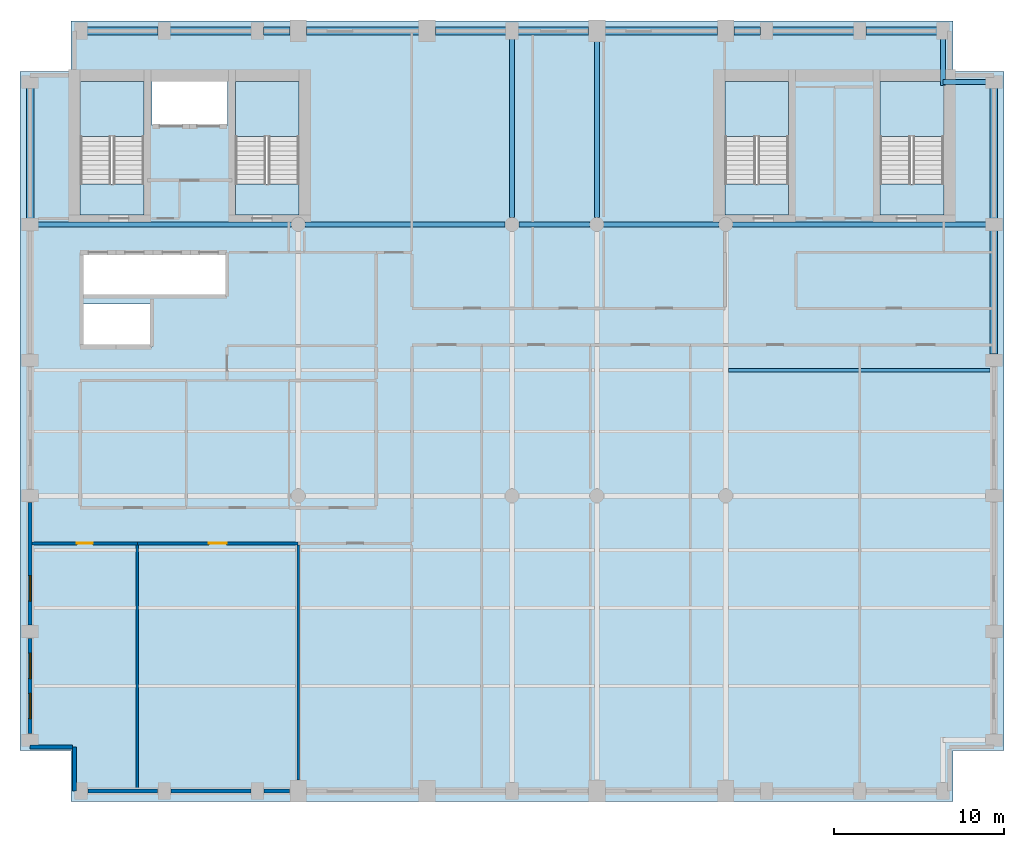
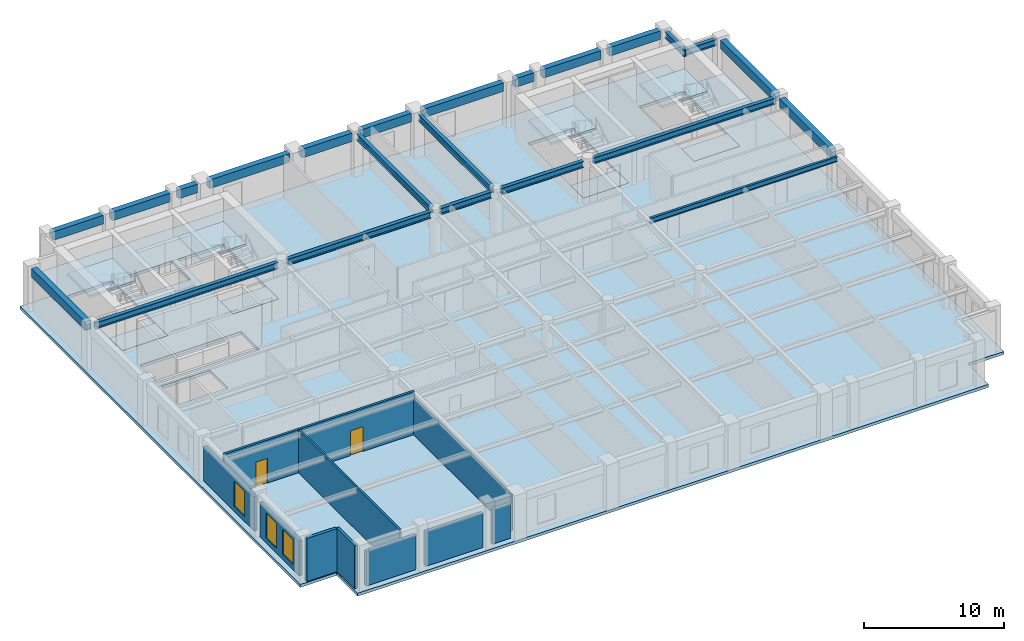
# One storey, part 2 of 8: 23 beams, 11 walls, 9 slabs, 3 windows, 2 doors, 5 openings, 4 elements without a shape of their own.
"""IFC4 building model written with IfcOpenShell, lengths in metres."""

from ifc_helpers import new_model, si_unit, direction, frame, frame_2d, origin, origin_2d, place, context, subcontext, project, spatial, polyline, rectangle, i_section, outline, extrude, material, layer, layer_set, material_profile, profile_set, type_object, element, fill, aggregate, save


model = new_model("IFC4")

# Units and contexts
model_context = context("Model", 3, precision=1e-05, world=origin(), true_north=direction((0.0, 1.0)))
body_context = subcontext(model_context, "Body", "Model", "MODEL_VIEW")
ifc_project = project(units=[si_unit("LENGTHUNIT", "METRE"), si_unit("AREAUNIT", "SQUARE_METRE"), si_unit("VOLUMEUNIT", "CUBIC_METRE"), si_unit("PLANEANGLEUNIT", "RADIAN"), si_unit("MASSUNIT", "GRAM", prefix="KILO")], contexts=[model_context])

# Site, building, storey
site_placement = place(None, origin())
site = spatial("IfcSite", under=ifc_project, at=site_placement, CompositionType="ELEMENT")
building_placement = place(site_placement, origin())
building = spatial("IfcBuilding", under=site, at=building_placement, Name="Sulina Concourse Tower", CompositionType="ELEMENT")
storey_placement = place(building_placement, frame((0.0, 0.0, 260.60009765625)))
storey = spatial("IfcBuildingStorey", under=building, at=storey_placement, Name="L63", CompositionType="ELEMENT", Elevation=260.60009765625)

# Beams
ifc_material_1 = material(Name="Steel S355", Category="steel")
ifc_material_profile_1 = material_profile(ifc_material_1, i_section(OverallWidth=0.18994140625, OverallDepth=0.449951171875, WebThickness=0.009521484375, FlangeThickness=0.0146484375, at=origin_2d()), Name="IPE 450")
ifc_profile_set_1 = profile_set([ifc_material_profile_1], Name="Steel S355")
beam_type_1 = type_object("IfcBeamType", Name="Composite Floor Joist IPE450", PredefinedType="JOIST", material=ifc_profile_set_1)
beam_1_placement = place(storey_placement, frame((41.75, 25.39990234375, 3.52490234375), z_axis=(1.0, 0.0, 0.0), x_axis=(0.0, 1.0, 0.0)))
element("IfcBeam", 1, at=beam_1_placement, inside=storey, type_object=beam_type_1, Name="FJ-J25-5-L63", PredefinedType="JOIST", context=body_context, shape_type="SweptSolid", body=[
    extrude(i_section(OverallWidth=0.18994140625, OverallDepth=0.449951171875, WebThickness=0.009521484375, FlangeThickness=0.0146484375, at=origin_2d()), origin(), (0.0, 0.0, 1.0), 15.425048828125),
])
ifc_material_2 = material(Name="Steel S355", Category="steel")
ifc_material_profile_2 = material_profile(ifc_material_2, i_section(OverallWidth=0.300048828125, OverallDepth=0.550048828125, WebThickness=0.014892578125, FlangeThickness=0.029052734375, at=origin_2d()), Name="HE 550 B")
ifc_profile_set_2 = profile_set([ifc_material_profile_2], Name="Steel S355")
beam_type_2 = type_object("IfcBeamType", Name="Floor Primary Girder Zone 4 HE550B", PredefinedType="BEAM", material=ifc_profile_set_2)
beam_2_placement = place(storey_placement, frame((54.39990234375, 42.39990234375, 3.474853515625), z_axis=(1.0, 0.0, 0.0), x_axis=(0.0, 1.0, 0.0)))
element("IfcBeam", 2, at=beam_2_placement, inside=storey, type_object=beam_type_2, Name="TIE-NE-L63", PredefinedType="BEAM", context=body_context, shape_type="SweptSolid", body=[
    extrude(i_section(OverallWidth=0.300048828125, OverallDepth=0.550048828125, WebThickness=0.014892578125, FlangeThickness=0.029052734375, at=origin_2d()), origin(), (0.0, 0.0, 1.0), 2.64501953125),
])
beam_3_placement = place(storey_placement, frame((54.39990234375, 42.199951171875, 3.474853515625), z_axis=(0.0, 1.0, 0.0), x_axis=(-1.0, 0.0, 0.0)))
element("IfcBeam", 3, at=beam_3_placement, inside=storey, type_object=beam_type_2, Name="TIE-NEN-L63", PredefinedType="BEAM", context=body_context, shape_type="SweptSolid", body=[
    extrude(i_section(OverallWidth=0.300048828125, OverallDepth=0.550048828125, WebThickness=0.014892578125, FlangeThickness=0.029052734375, at=origin_2d()), origin(), (0.0, 0.0, 1.0), 2.844970703125),
])
beam_4_placement = place(storey_placement, frame((0.955078125, 34.0, 3.474853515625), z_axis=(1.0, 0.0, 0.0), x_axis=(0.0, 1.0, 0.0)))
element("IfcBeam", 4, at=beam_4_placement, inside=storey, type_object=beam_type_2, Name="FG-EWN1-L63", PredefinedType="BEAM", context=body_context, shape_type="SweptSolid", body=[
    extrude(i_section(OverallWidth=0.300048828125, OverallDepth=0.550048828125, WebThickness=0.014892578125, FlangeThickness=0.029052734375, at=origin_2d()), origin(), (0.0, 0.0, 1.0), 15.0400390625),
])
beam_5_placement = place(storey_placement, frame((16.804931640625, 34.0, 3.474853515625), z_axis=(1.0, 0.0, 0.0), x_axis=(0.0, 1.0, 0.0)))
element("IfcBeam", 5, at=beam_5_placement, inside=storey, type_object=beam_type_2, Name="FG-EWN2-L63", PredefinedType="BEAM", context=body_context, shape_type="SweptSolid", body=[
    extrude(i_section(OverallWidth=0.300048828125, OverallDepth=0.550048828125, WebThickness=0.014892578125, FlangeThickness=0.029052734375, at=origin_2d()), origin(), (0.0, 0.0, 1.0), 11.7900390625),
])
beam_6_placement = place(storey_placement, frame((29.405029296875, 34.0, 3.474853515625), z_axis=(1.0, 0.0, 0.0), x_axis=(0.0, 1.0, 0.0)))
element("IfcBeam", 6, at=beam_6_placement, inside=storey, type_object=beam_type_2, Name="FG-EWN3-L63", PredefinedType="BEAM", context=body_context, shape_type="SweptSolid", body=[
    extrude(i_section(OverallWidth=0.300048828125, OverallDepth=0.550048828125, WebThickness=0.014892578125, FlangeThickness=0.029052734375, at=origin_2d()), origin(), (0.0, 0.0, 1.0), 4.18994140625),
])
beam_7_placement = place(storey_placement, frame((34.405029296875, 34.0, 3.474853515625), z_axis=(1.0, 0.0, 0.0), x_axis=(0.0, 1.0, 0.0)))
element("IfcBeam", 7, at=beam_7_placement, inside=storey, type_object=beam_type_2, Name="FG-EWN4-L63", PredefinedType="BEAM", context=body_context, shape_type="SweptSolid", body=[
    extrude(i_section(OverallWidth=0.300048828125, OverallDepth=0.550048828125, WebThickness=0.014892578125, FlangeThickness=0.029052734375, at=origin_2d()), origin(), (0.0, 0.0, 1.0), 6.7900390625),
])
beam_8_placement = place(storey_placement, frame((42.0048828125, 34.0, 3.474853515625), z_axis=(1.0, 0.0, 0.0), x_axis=(0.0, 1.0, 0.0)))
element("IfcBeam", 8, at=beam_8_placement, inside=storey, type_object=beam_type_2, Name="FG-EWN5-L63", PredefinedType="BEAM", context=body_context, shape_type="SweptSolid", body=[
    extrude(i_section(OverallWidth=0.300048828125, OverallDepth=0.550048828125, WebThickness=0.014892578125, FlangeThickness=0.029052734375, at=origin_2d()), origin(), (0.0, 0.0, 1.0), 15.0400390625),
])
beam_9_placement = place(storey_placement, frame((29.0, 34.405029296875, 3.474853515625), z_axis=(0.0, 1.0, 0.0), x_axis=(-1.0, 0.0, 0.0)))
element("IfcBeam", 9, at=beam_9_placement, inside=storey, type_object=beam_type_2, Name="FG-NSC-29-L63", PredefinedType="BEAM", context=body_context, shape_type="SweptSolid", body=[
    extrude(i_section(OverallWidth=0.300048828125, OverallDepth=0.550048828125, WebThickness=0.014892578125, FlangeThickness=0.029052734375, at=origin_2d()), origin(), (0.0, 0.0, 1.0), 10.639892578125),
])
beam_10_placement = place(storey_placement, frame((34.0, 34.405029296875, 3.474853515625), z_axis=(0.0, 1.0, 0.0), x_axis=(-1.0, 0.0, 0.0)))
element("IfcBeam", 10, at=beam_10_placement, inside=storey, type_object=beam_type_2, Name="FG-NSC-34-L63", PredefinedType="BEAM", context=body_context, shape_type="SweptSolid", body=[
    extrude(i_section(OverallWidth=0.300048828125, OverallDepth=0.550048828125, WebThickness=0.014892578125, FlangeThickness=0.029052734375, at=origin_2d()), origin(), (0.0, 0.0, 1.0), 10.514892578125),
])
ifc_material_3 = material(Name="Precast concrete C50/60", Category="concrete")
ifc_material_profile_3 = material_profile(ifc_material_3, rectangle(XDim=0.449951171875, YDim=0.75, at=origin_2d()), Name="RC 450x750")
ifc_profile_set_3 = profile_set([ifc_material_profile_3], Name="Precast concrete C50/60")
beam_type_3 = type_object("IfcBeamType", Name="Upper Precast Spandrel Edge Beam 450x750", PredefinedType="BEAM", material=ifc_profile_set_3)
beam_11_placement = place(storey_placement, frame((3.955078125, 45.39990234375, 3.375), z_axis=(1.0, 0.0, 0.0), x_axis=(0.0, 1.0, 0.0)))
element("IfcBeam", 11, at=beam_11_placement, inside=storey, type_object=beam_type_3, Name="SP-N1-L63", PredefinedType="BEAM", context=body_context, shape_type="SweptSolid", body=[
    extrude(rectangle(XDim=0.449951171875, YDim=0.75, at=origin_2d()), origin(), (0.0, 0.0, 1.0), 4.18994140625),
])
beam_12_placement = place(storey_placement, frame((8.85498046875, 45.39990234375, 3.375), z_axis=(1.0, 0.0, 0.0), x_axis=(0.0, 1.0, 0.0)))
element("IfcBeam", 12, at=beam_12_placement, inside=storey, type_object=beam_type_3, Name="SP-N2-L63", PredefinedType="BEAM", context=body_context, shape_type="SweptSolid", body=[
    extrude(rectangle(XDim=0.449951171875, YDim=0.75, at=origin_2d()), origin(), (0.0, 0.0, 1.0), 4.7900390625),
])
beam_13_placement = place(storey_placement, frame((14.35498046875, 45.39990234375, 3.375), z_axis=(1.0, 0.0, 0.0), x_axis=(0.0, 1.0, 0.0)))
element("IfcBeam", 13, at=beam_13_placement, inside=storey, type_object=beam_type_3, Name="SP-N3-L63", PredefinedType="BEAM", context=body_context, shape_type="SweptSolid", body=[
    extrude(rectangle(XDim=0.449951171875, YDim=0.75, at=origin_2d()), origin(), (0.0, 0.0, 1.0), 1.56494140625),
])
beam_14_placement = place(storey_placement, frame((16.8798828125, 45.39990234375, 3.375), z_axis=(1.0, 0.0, 0.0), x_axis=(0.0, 1.0, 0.0)))
element("IfcBeam", 14, at=beam_14_placement, inside=storey, type_object=beam_type_3, Name="SP-N4-L63", PredefinedType="BEAM", context=body_context, shape_type="SweptSolid", body=[
    extrude(rectangle(XDim=0.449951171875, YDim=0.75, at=origin_2d()), origin(), (0.0, 0.0, 1.0), 6.64013671875),
])
for number, where, z_axis, x_axis, name in (
    (15, (24.47998046875, 45.39990234375, 3.375), (1.0, 0.0, 0.0), (0.0, 1.0, 0.0), "SP-N5-L63"),
    (16, (29.35498046875, 45.39990234375, 3.375), (1.0, 0.0, 0.0), (0.0, 1.0, 0.0), "SP-N6-L63"),
):
    element("IfcBeam", number, at=place(storey_placement, frame(where, z_axis=z_axis, x_axis=x_axis)), inside=storey, type_object=beam_type_3, Name=name, PredefinedType="BEAM", context=body_context, shape_type="SweptSolid", body=[
        extrude(rectangle(XDim=0.449951171875, YDim=0.75, at=origin_2d()), origin(), (0.0, 0.0, 1.0), 4.1650390625),
    ])
beam_15_placement = place(storey_placement, frame((34.47998046875, 45.39990234375, 3.375), z_axis=(1.0, 0.0, 0.0), x_axis=(0.0, 1.0, 0.0)))
element("IfcBeam", 17, at=beam_15_placement, inside=storey, type_object=beam_type_3, Name="SP-N7-L63", PredefinedType="BEAM", context=body_context, shape_type="SweptSolid", body=[
    extrude(rectangle(XDim=0.449951171875, YDim=0.75, at=origin_2d()), origin(), (0.0, 0.0, 1.0), 6.64013671875),
])
beam_16_placement = place(storey_placement, frame((42.080078125, 45.39990234375, 3.375), z_axis=(1.0, 0.0, 0.0), x_axis=(0.0, 1.0, 0.0)))
element("IfcBeam", 18, at=beam_16_placement, inside=storey, type_object=beam_type_3, Name="SP-N8-L63", PredefinedType="BEAM", context=body_context, shape_type="SweptSolid", body=[
    extrude(rectangle(XDim=0.449951171875, YDim=0.75, at=origin_2d()), origin(), (0.0, 0.0, 1.0), 1.56494140625),
])
beam_17_placement = place(storey_placement, frame((44.35498046875, 45.39990234375, 3.375), z_axis=(1.0, 0.0, 0.0), x_axis=(0.0, 1.0, 0.0)))
element("IfcBeam", 19, at=beam_17_placement, inside=storey, type_object=beam_type_3, Name="SP-N9-L63", PredefinedType="BEAM", context=body_context, shape_type="SweptSolid", body=[
    extrude(rectangle(XDim=0.449951171875, YDim=0.75, at=origin_2d()), origin(), (0.0, 0.0, 1.0), 4.7900390625),
])
beam_18_placement = place(storey_placement, frame((49.85498046875, 45.39990234375, 3.375), z_axis=(1.0, 0.0, 0.0), x_axis=(0.0, 1.0, 0.0)))
element("IfcBeam", 20, at=beam_18_placement, inside=storey, type_object=beam_type_3, Name="SP-N10-L63", PredefinedType="BEAM", context=body_context, shape_type="SweptSolid", body=[
    extrude(rectangle(XDim=0.449951171875, YDim=0.75, at=origin_2d()), origin(), (0.0, 0.0, 1.0), 4.18994140625),
])
beam_19_placement = place(storey_placement, frame((0.60009765625, 34.35498046875, 3.375), z_axis=(0.0, 1.0, 0.0), x_axis=(-1.0, 0.0, 0.0)))
element("IfcBeam", 21, at=beam_19_placement, inside=storey, type_object=beam_type_3, Name="SP-W5-L63", PredefinedType="BEAM", context=body_context, shape_type="SweptSolid", body=[
    extrude(rectangle(XDim=0.449951171875, YDim=0.75, at=origin_2d()), origin(), (0.0, 0.0, 1.0), 7.68994140625),
])
beam_20_placement = place(storey_placement, frame((57.39990234375, 26.35498046875, 3.375), z_axis=(0.0, 1.0, 0.0), x_axis=(-1.0, 0.0, 0.0)))
element("IfcBeam", 22, at=beam_20_placement, inside=storey, type_object=beam_type_3, Name="SP-E4-L63", PredefinedType="BEAM", context=body_context, shape_type="SweptSolid", body=[
    extrude(rectangle(XDim=0.449951171875, YDim=0.75, at=origin_2d()), origin(), (0.0, 0.0, 1.0), 7.2900390625),
])
beam_21_placement = place(storey_placement, frame((57.39990234375, 34.35498046875, 3.375), z_axis=(0.0, 1.0, 0.0), x_axis=(-1.0, 0.0, 0.0)))
element("IfcBeam", 23, at=beam_21_placement, inside=storey, type_object=beam_type_3, Name="SP-E5-L63", PredefinedType="BEAM", context=body_context, shape_type="SweptSolid", body=[
    extrude(rectangle(XDim=0.449951171875, YDim=0.75, at=origin_2d()), origin(), (0.0, 0.0, 1.0), 7.68994140625),
])

# Slabs
ifc_material_4 = material(Name="Concrete C50/60", Category="concrete")
ifc_layer_1 = layer(ifc_material_4, 0.25)
ifc_layer_set_1 = layer_set([ifc_layer_1], Name="Concrete C50/60")
slab_type_1 = type_object("IfcSlabType", Name="High-Rise Composite Floor Slab 250mm", PredefinedType="FLOOR", material=ifc_layer_set_1)
slab_1_placement = place(storey_placement, frame((0.0, 0.0, -0.25)))
element("IfcSlab", 24, at=slab_1_placement, inside=storey, type_object=slab_type_1, Name="L63 structural floor slab", PredefinedType="FLOOR", context=body_context, shape_type="SweptSolid", body=[
    extrude(outline(polyline([(3.0, 0.0), (55.0, 0.0), (55.0, 3.0), (58.0, 3.0), (58.0, 43.0), (55.0, 43.0), (55.0, 46.0), (3.0, 46.0), (3.0, 43.0), (0.0, 43.0), (0.0, 3.0), (3.0, 3.0), (3.0, 0.0)]), holes=[polyline([(7.31005859375, 34.550048828125), (7.31005859375, 42.429931640625), (3.550048828125, 42.429931640625), (3.550048828125, 34.550048828125), (7.31005859375, 34.550048828125)]), polyline([(16.449951171875, 34.550048828125), (16.449951171875, 42.429931640625), (12.68994140625, 42.429931640625), (12.68994140625, 34.550048828125), (16.449951171875, 34.550048828125)]), polyline([(45.31005859375, 34.550048828125), (45.31005859375, 42.429931640625), (41.550048828125, 42.429931640625), (41.550048828125, 34.550048828125), (45.31005859375, 34.550048828125)]), polyline([(54.449951171875, 34.550048828125), (54.449951171875, 42.429931640625), (50.68994140625, 42.429931640625), (50.68994140625, 34.550048828125), (54.449951171875, 34.550048828125)]), polyline([(7.780029296875, 39.830078125), (12.219970703125, 39.830078125), (12.219970703125, 42.449951171875), (7.780029296875, 42.449951171875), (7.780029296875, 39.830078125)]), polyline([(3.739990234375, 26.780029296875), (7.77001953125, 26.780029296875), (7.77001953125, 29.320068359375), (3.739990234375, 29.320068359375), (3.739990234375, 26.780029296875)]), polyline([(3.739990234375, 29.780029296875), (12.10009765625, 29.780029296875), (12.10009765625, 32.3701171875), (3.739990234375, 32.3701171875), (3.739990234375, 29.780029296875)])]), origin(), (0.0, 0.0, 1.0), 0.25),
])
ifc_material_5 = material(Name="Concrete C50/60", Category="concrete")
ifc_layer_2 = layer(ifc_material_5, 0.199951171875)
ifc_layer_set_2 = layer_set([ifc_layer_2], Name="Concrete C50/60")
slab_type_2 = type_object("IfcSlabType", Name="Primary Core Stair Landing Slab 200mm", PredefinedType="LANDING", material=ifc_layer_set_2)
slab_2_placement = place(storey_placement, frame((0.0, 0.0, -0.2001953125)))
element("IfcSlab", 25, at=slab_2_placement, inside=storey, type_object=slab_type_2, Name="L63 ST-1 floor landing slab", PredefinedType="LANDING", context=body_context, shape_type="SweptSolid", body=[
    extrude(outline(polyline([(7.31005859375, 34.550048828125), (7.31005859375, 36.375), (3.550048828125, 36.375), (3.550048828125, 34.550048828125), (7.31005859375, 34.550048828125)])), origin(), (0.0, 0.0, 1.0), 0.2001953125),
])
slab_3_placement = place(storey_placement, frame((0.0, 0.0, -0.2001953125)))
element("IfcSlab", 26, at=slab_3_placement, inside=storey, type_object=slab_type_2, Name="L63 ST-2 floor landing slab", PredefinedType="LANDING", context=body_context, shape_type="SweptSolid", body=[
    extrude(outline(polyline([(16.449951171875, 34.550048828125), (16.449951171875, 36.375), (12.68994140625, 36.375), (12.68994140625, 34.550048828125), (16.449951171875, 34.550048828125)])), origin(), (0.0, 0.0, 1.0), 0.2001953125),
])
slab_4_placement = place(storey_placement, frame((0.0, 0.0, -0.2001953125)))
element("IfcSlab", 27, at=slab_4_placement, inside=storey, type_object=slab_type_2, Name="L63 ST-3 floor landing slab", PredefinedType="LANDING", context=body_context, shape_type="SweptSolid", body=[
    extrude(outline(polyline([(45.31005859375, 34.550048828125), (45.31005859375, 36.375), (41.550048828125, 36.375), (41.550048828125, 34.550048828125), (45.31005859375, 34.550048828125)])), origin(), (0.0, 0.0, 1.0), 0.2001953125),
])
slab_5_placement = place(storey_placement, frame((0.0, 0.0, -0.2001953125)))
element("IfcSlab", 28, at=slab_5_placement, inside=storey, type_object=slab_type_2, Name="L63 ST-4 floor landing slab", PredefinedType="LANDING", context=body_context, shape_type="SweptSolid", body=[
    extrude(outline(polyline([(54.449951171875, 34.550048828125), (54.449951171875, 36.375), (50.68994140625, 36.375), (50.68994140625, 34.550048828125), (54.449951171875, 34.550048828125)])), origin(), (0.0, 0.0, 1.0), 0.2001953125),
])

# Stair, slab
ifc_material_6 = material(Name="Concrete C50/60", Category="concrete")
stair_type_1 = type_object("IfcStairType", Name="Primary Core Dog-Leg Exit Stair 1800mm", PredefinedType="HALF_TURN_STAIR", material=ifc_material_6)
stair_1_placement = place(storey_placement, origin())
stair_1 = element("IfcStair", 29, at=stair_1_placement, inside=storey, type_object=stair_type_1, Name="L63 ST-1", PredefinedType="HALF_TURN_STAIR")
slab_6_placement = place(storey_placement, frame((0.0, 0.0, 1.7998046875)))
slab_6 = element("IfcSlab", 30, at=slab_6_placement, type_object=slab_type_2, Name="ST-1 landing 1", PredefinedType="LANDING", context=body_context, shape_type="SweptSolid", body=[
    extrude(outline(polyline([(7.304931640625, 39.175048828125), (7.304931640625, 42.425048828125), (3.554931640625, 42.425048828125), (3.554931640625, 39.175048828125), (7.304931640625, 39.175048828125)])), origin(), (0.0, 0.0, 1.0), 0.2001953125),
])
aggregate(stair_1, [slab_6])

stair_2_placement = place(storey_placement, origin())
stair_2 = element("IfcStair", 31, at=stair_2_placement, inside=storey, type_object=stair_type_1, Name="L63 ST-2", PredefinedType="HALF_TURN_STAIR")
slab_7_placement = place(storey_placement, frame((0.0, 0.0, 1.7998046875)))
slab_7 = element("IfcSlab", 32, at=slab_7_placement, type_object=slab_type_2, Name="ST-2 landing 1", PredefinedType="LANDING", context=body_context, shape_type="SweptSolid", body=[
    extrude(outline(polyline([(16.445068359375, 39.175048828125), (16.445068359375, 42.425048828125), (12.695068359375, 42.425048828125), (12.695068359375, 39.175048828125), (16.445068359375, 39.175048828125)])), origin(), (0.0, 0.0, 1.0), 0.2001953125),
])
aggregate(stair_2, [slab_7])

ifc_material_7 = material(Name="Concrete C50/60", Category="concrete")
stair_type_2 = type_object("IfcStairType", Name="Portal & Podium Core Exit Stair 1820mm", PredefinedType="HALF_TURN_STAIR", material=ifc_material_7)
stair_3_placement = place(storey_placement, origin())
stair_3 = element("IfcStair", 33, at=stair_3_placement, inside=storey, type_object=stair_type_2, Name="L63 ST-3", PredefinedType="HALF_TURN_STAIR")
slab_8_placement = place(storey_placement, frame((0.0, 0.0, 1.7998046875)))
slab_8 = element("IfcSlab", 34, at=slab_8_placement, type_object=slab_type_2, Name="ST-3 landing 1", PredefinedType="LANDING", context=body_context, shape_type="SweptSolid", body=[
    extrude(outline(polyline([(45.304931640625, 39.175048828125), (45.304931640625, 42.425048828125), (41.554931640625, 42.425048828125), (41.554931640625, 39.175048828125), (45.304931640625, 39.175048828125)])), origin(), (0.0, 0.0, 1.0), 0.2001953125),
])
aggregate(stair_3, [slab_8])

stair_4_placement = place(storey_placement, origin())
stair_4 = element("IfcStair", 35, at=stair_4_placement, inside=storey, type_object=stair_type_2, Name="L63 ST-4", PredefinedType="HALF_TURN_STAIR")
slab_9_placement = place(storey_placement, frame((0.0, 0.0, 1.7998046875)))
slab_9 = element("IfcSlab", 36, at=slab_9_placement, type_object=slab_type_2, Name="ST-4 landing 1", PredefinedType="LANDING", context=body_context, shape_type="SweptSolid", body=[
    extrude(outline(polyline([(54.445068359375, 39.175048828125), (54.445068359375, 42.425048828125), (50.695068359375, 42.425048828125), (50.695068359375, 39.175048828125), (54.445068359375, 39.175048828125)])), origin(), (0.0, 0.0, 1.0), 0.2001953125),
])
aggregate(stair_4, [slab_9])

# Walls
ifc_material_8 = material(Name="Precast concrete C50/60", Category="concrete")
ifc_layer_3 = layer(ifc_material_8, 0.239990234375)
ifc_layer_set_3 = layer_set([ifc_layer_3], Name="Precast concrete C50/60")
wall_type_1 = type_object("IfcWallType", Name="Crown Precast Masonry-Frame Facade Wall 240mm", PredefinedType="SOLIDWALL", material=ifc_layer_set_3)
wall_1_placement = place(storey_placement, frame((8.10498046875, 0.60009765625, 0.0), z_axis=(0.0, 0.0, 1.0), x_axis=(-1.0, 0.0, 0.0)))
element("IfcWall", 37, at=wall_1_placement, inside=storey, type_object=wall_type_1, Name="L63 exterior precast wall S1", PredefinedType="SOLIDWALL", context=body_context, shape_type="SweptSolid", body=[
    extrude(rectangle(XDim=4.10986328125, YDim=0.239990234375, at=frame_2d((2.054931640625, 0.0))), origin(), (0.0, 0.0, 1.0), 3.0),
])
wall_2_placement = place(storey_placement, frame((13.60498046875, 0.60009765625, 0.0), z_axis=(0.0, 0.0, 1.0), x_axis=(-1.0, 0.0, 0.0)))
element("IfcWall", 38, at=wall_2_placement, inside=storey, type_object=wall_type_1, Name="L63 exterior precast wall S2", PredefinedType="SOLIDWALL", context=body_context, shape_type="SweptSolid", body=[
    extrude(rectangle(XDim=4.7099609375, YDim=0.239990234375, at=frame_2d((2.35498046875, 0.0))), origin(), (0.0, 0.0, 1.0), 3.0),
])
wall_3_placement = place(storey_placement, frame((15.8798828125, 0.60009765625, 0.0), z_axis=(0.0, 0.0, 1.0), x_axis=(-1.0, 0.0, 0.0)))
element("IfcWall", 39, at=wall_3_placement, inside=storey, type_object=wall_type_1, Name="L63 exterior precast wall S3", PredefinedType="SOLIDWALL", context=body_context, shape_type="SweptSolid", body=[
    extrude(rectangle(XDim=1.48486328125, YDim=0.239990234375, at=frame_2d((0.742431640625, 0.0))), origin(), (0.0, 0.0, 1.0), 3.0),
])

# Wall, openings, windows
wall_4_placement = place(storey_placement, frame((0.60009765625, 3.9951171875, 0.0), z_axis=(0.0, 0.0, 1.0), x_axis=(0.0, 1.0, 0.0)))
wall_4 = element("IfcWall", 40, at=wall_4_placement, inside=storey, type_object=wall_type_1, Name="L63 exterior precast wall W1", PredefinedType="SOLIDWALL", context=body_context, shape_type="SweptSolid", body=[
    extrude(rectangle(XDim=5.60986328125, YDim=0.239990234375, at=frame_2d((2.804931640625, 0.0))), origin(), (0.0, 0.0, 1.0), 3.0),
])
opening_1_placement = place(wall_4_placement, frame((0.8701171875, 0.0, 0.419921875)))
opening_1 = element("IfcOpeningElement", 41, at=opening_1_placement, cuts=wall_4, Name="Opening WN-71", PredefinedType="OPENING", context=body_context, shape_type="SweptSolid", body=[
    extrude(rectangle(XDim=1.5, YDim=2.199951171875, at=frame_2d((0.75, 1.10009765625))), frame((0.0, 0.1298828125, 0.0), z_axis=(0.0, -1.0, 0.0), x_axis=(1.0, 0.0, 0.0)), (0.0, 0.0, 1.0), 0.260009765625),
])
opening_2_placement = place(wall_4_placement, frame((3.239990234375, 0.0, 0.419921875)))
opening_2 = element("IfcOpeningElement", 42, at=opening_2_placement, cuts=wall_4, Name="Opening WN-71", PredefinedType="OPENING", context=body_context, shape_type="SweptSolid", body=[
    extrude(rectangle(XDim=1.5, YDim=2.199951171875, at=frame_2d((0.75, 1.10009765625))), frame((0.0, 0.1298828125, 0.0), z_axis=(0.0, -1.0, 0.0), x_axis=(1.0, 0.0, 0.0)), (0.0, 0.0, 1.0), 0.260009765625),
])
ifc_material_9 = material(Name="Low-E solar double glazing in bronze aluminium", Category="aluminium")
window_type = type_object("IfcWindowType", Name="Punched Masonry-Frame Window 1500x2200", PartitioningType="SINGLE_PANEL", PredefinedType="WINDOW", material=ifc_material_9)
window_1_placement = place(opening_1_placement, origin())
window_1 = element("IfcWindow", 43, at=window_1_placement, inside=storey, type_object=window_type, Name="L63 punched window W1-1", OverallHeight=2.199951171875, OverallWidth=1.5, PartitioningType="SINGLE_PANEL", PredefinedType="WINDOW", context=body_context, shape_type="SweptSolid", body=[
    extrude(rectangle(XDim=1.5, YDim=2.199951171875, at=frame_2d((0.75, 1.10009765625))), frame((0.0, 0.030029296875, 0.0), z_axis=(0.0, -1.0, 0.0), x_axis=(1.0, 0.0, 0.0)), (0.0, 0.0, 1.0), 0.06005859375),
])
fill(opening_1, window_1)
window_2_placement = place(opening_2_placement, origin())
window_2 = element("IfcWindow", 44, at=window_2_placement, inside=storey, type_object=window_type, Name="L63 punched window W1-2", OverallHeight=2.199951171875, OverallWidth=1.5, PartitioningType="SINGLE_PANEL", PredefinedType="WINDOW", context=body_context, shape_type="SweptSolid", body=[
    extrude(rectangle(XDim=1.5, YDim=2.199951171875, at=frame_2d((0.75, 1.10009765625))), frame((0.0, 0.030029296875, 0.0), z_axis=(0.0, -1.0, 0.0), x_axis=(1.0, 0.0, 0.0)), (0.0, 0.0, 1.0), 0.06005859375),
])
fill(opening_2, window_2)

# Wall, opening, window
wall_5_placement = place(storey_placement, frame((0.60009765625, 10.39501953125, 0.0), z_axis=(0.0, 0.0, 1.0), x_axis=(0.0, 1.0, 0.0)))
wall_5 = element("IfcWall", 45, at=wall_5_placement, inside=storey, type_object=wall_type_1, Name="L63 exterior precast wall W2", PredefinedType="SOLIDWALL", context=body_context, shape_type="SweptSolid", body=[
    extrude(rectangle(XDim=7.2099609375, YDim=0.239990234375, at=frame_2d((3.60498046875, 0.0))), origin(), (0.0, 0.0, 1.0), 3.0),
])
opening_3_placement = place(wall_5_placement, frame((1.4033203125, 0.0, 0.419921875)))
opening_3 = element("IfcOpeningElement", 46, at=opening_3_placement, cuts=wall_5, Name="Opening WN-71", PredefinedType="OPENING", context=body_context, shape_type="SweptSolid", body=[
    extrude(rectangle(XDim=1.5, YDim=2.199951171875, at=frame_2d((0.75, 1.10009765625))), frame((0.0, 0.1298828125, 0.0), z_axis=(0.0, -1.0, 0.0), x_axis=(1.0, 0.0, 0.0)), (0.0, 0.0, 1.0), 0.260009765625),
])
window_3_placement = place(opening_3_placement, origin())
window_3 = element("IfcWindow", 47, at=window_3_placement, inside=storey, type_object=window_type, Name="L63 punched window W2-1", OverallHeight=2.199951171875, OverallWidth=1.5, PartitioningType="SINGLE_PANEL", PredefinedType="WINDOW", context=body_context, shape_type="SweptSolid", body=[
    extrude(rectangle(XDim=1.5, YDim=2.199951171875, at=frame_2d((0.75, 1.10009765625))), frame((0.0, 0.030029296875, 0.0), z_axis=(0.0, -1.0, 0.0), x_axis=(1.0, 0.0, 0.0)), (0.0, 0.0, 1.0), 0.06005859375),
])
fill(opening_3, window_3)

# Walls
wall_6_placement = place(storey_placement, frame((3.205078125, 0.60009765625, 0.0), z_axis=(0.0, 0.0, 1.0), x_axis=(0.0, 1.0, 0.0)))
element("IfcWall", 48, at=wall_6_placement, inside=storey, type_object=wall_type_1, Name="L63 exterior precast wall CSW1", PredefinedType="SOLIDWALL", context=body_context, shape_type="SweptSolid", body=[
    extrude(rectangle(XDim=2.60498046875, YDim=0.239990234375, at=frame_2d((1.302490234375, 0.0))), origin(), (0.0, 0.0, 1.0), 3.75),
])
wall_7_placement = place(storey_placement, frame((3.080078125, 3.205078125, 0.0), z_axis=(0.0, 0.0, 1.0), x_axis=(-1.0, 0.0, 0.0)))
element("IfcWall", 49, at=wall_7_placement, inside=storey, type_object=wall_type_1, Name="L63 exterior precast wall CSW2", PredefinedType="SOLIDWALL", context=body_context, shape_type="SweptSolid", body=[
    extrude(rectangle(XDim=2.47998046875, YDim=0.239990234375, at=frame_2d((1.239990234375, 0.0))), origin(), (0.0, 0.0, 1.0), 3.75),
])
ifc_material_10 = material(Name="Gypsum board on steel stud", Category="steel")
ifc_layer_4 = layer(ifc_material_10, 0.14990234375)
ifc_layer_set_4 = layer_set([ifc_layer_4], Name="Gypsum board on steel stud")
wall_type_2 = type_object("IfcWallType", Name="Inter-Tenancy Acoustic Partition 150mm", PredefinedType="PARTITIONING", material=ifc_layer_set_4)
wall_8_placement = place(storey_placement, frame((6.919921875, 0.719970703125, 0.0), z_axis=(0.0, 0.0, 1.0), x_axis=(0.0, 1.0, 0.0)))
element("IfcWall", 50, at=wall_8_placement, inside=storey, type_object=wall_type_2, Name="L63 interior partition 032", PredefinedType="PARTITIONING", context=body_context, shape_type="SweptSolid", body=[
    extrude(rectangle(XDim=14.39013671875, YDim=0.14990234375, at=frame_2d((7.195068359375, 0.0))), origin(), (0.0, 0.0, 1.0), 3.75),
])
wall_9_placement = place(storey_placement, frame((16.39990234375, 1.25, 0.0), z_axis=(0.0, 0.0, 1.0), x_axis=(0.0, 1.0, 0.0)))
element("IfcWall", 51, at=wall_9_placement, inside=storey, type_object=wall_type_2, Name="L63 interior partition 038", PredefinedType="PARTITIONING", context=body_context, shape_type="SweptSolid", body=[
    extrude(rectangle(XDim=13.860107421875, YDim=0.14990234375, at=frame_2d((6.93017578125, 0.0))), origin(), (0.0, 0.0, 1.0), 3.19482421875),
])

# Wall, opening, door
ifc_material_11 = material(Name="Gypsum board on steel stud", Category="steel")
ifc_layer_5 = layer(ifc_material_11, 0.179931640625)
ifc_layer_set_5 = layer_set([ifc_layer_5], Name="Gypsum board on steel stud")
wall_type_3 = type_object("IfcWallType", Name="Protected Corridor & Riser Partition 180mm", PredefinedType="PARTITIONING", material=ifc_layer_set_5)
wall_10_placement = place(storey_placement, frame((0.719970703125, 15.199951171875, 0.0), z_axis=(0.0, 0.0, 1.0), x_axis=(1.0, 0.0, 0.0)))
wall_10 = element("IfcWall", 52, at=wall_10_placement, inside=storey, type_object=wall_type_3, Name="L63 interior partition 001", PredefinedType="PARTITIONING", context=body_context, shape_type="SweptSolid", body=[
    extrude(rectangle(XDim=6.199951171875, YDim=0.179931640625, at=frame_2d((3.10009765625, 0.0))), origin(), (0.0, 0.0, 1.0), 3.75),
])
opening_4_placement = place(wall_10_placement, frame((2.625, 0.0, 0.0)))
opening_4 = element("IfcOpeningElement", 53, at=opening_4_placement, cuts=wall_10, Name="Opening DR-19", PredefinedType="OPENING", context=body_context, shape_type="SweptSolid", body=[
    extrude(rectangle(XDim=0.949951171875, YDim=2.14990234375, at=frame_2d((0.47509765625, 1.074951171875))), frame((0.0, 0.099853515625, 0.0), z_axis=(0.0, -1.0, 0.0), x_axis=(1.0, 0.0, 0.0)), (0.0, 0.0, 1.0), 0.199951171875),
])
ifc_material_12 = material(Name="Oak-veneered acoustic timber leaf", Category="wood")
ifc_layer_6 = layer(ifc_material_12, 0.050048828125)
ifc_layer_set_6 = layer_set([ifc_layer_6], Name="Oak-veneered acoustic timber leaf")
door_type_1 = type_object("IfcDoorType", Name="Cellular Office & Meeting Door 950x2150", OperationType="NOTDEFINED", PredefinedType="DOOR", material=ifc_layer_set_6)
door_1_placement = place(opening_4_placement, origin())
door_1 = element("IfcDoor", 54, at=door_1_placement, inside=storey, type_object=door_type_1, Name="L63 interior door L63-S01", OperationType="SINGLE_SWING_LEFT", OverallHeight=2.14990234375, OverallWidth=0.949951171875, PredefinedType="DOOR", context=body_context, shape_type="SweptSolid", body=[
    extrude(rectangle(XDim=0.949951171875, YDim=2.14990234375, at=frame_2d((0.47509765625, 1.074951171875))), frame((0.0, 0.02490234375, 0.0), z_axis=(0.0, -1.0, 0.0), x_axis=(1.0, 0.0, 0.0)), (0.0, 0.0, 1.0), 0.050048828125),
])
fill(opening_4, door_1)

wall_11_placement = place(storey_placement, frame((6.919921875, 15.199951171875, 0.0), z_axis=(0.0, 0.0, 1.0), x_axis=(1.0, 0.0, 0.0)))
wall_11 = element("IfcWall", 55, at=wall_11_placement, inside=storey, type_object=wall_type_3, Name="L63 interior partition 002", PredefinedType="PARTITIONING", context=body_context, shape_type="SweptSolid", body=[
    extrude(rectangle(XDim=9.47998046875, YDim=0.179931640625, at=frame_2d((4.739990234375, 0.0))), origin(), (0.0, 0.0, 1.0), 3.75),
])
opening_5_placement = place(wall_11_placement, frame((4.215087890625, 0.0, 0.0)))
opening_5 = element("IfcOpeningElement", 56, at=opening_5_placement, cuts=wall_11, Name="Opening DR-37", PredefinedType="OPENING", context=body_context, shape_type="SweptSolid", body=[
    extrude(rectangle(XDim=1.050048828125, YDim=2.14990234375, at=frame_2d((0.52490234375, 1.074951171875))), frame((0.0, 0.099853515625, 0.0), z_axis=(0.0, -1.0, 0.0), x_axis=(1.0, 0.0, 0.0)), (0.0, 0.0, 1.0), 0.199951171875),
])
ifc_material_13 = material(Name="Oak-veneered fire door leaf")
ifc_layer_7 = layer(ifc_material_13, 0.050048828125)
ifc_layer_set_7 = layer_set([ifc_layer_7], Name="Oak-veneered fire door leaf")
door_type_2 = type_object("IfcDoorType", Name="Tenant Suite Entrance Fire Door 1050x2150", OperationType="NOTDEFINED", PredefinedType="DOOR", material=ifc_layer_set_7)
door_2_placement = place(opening_5_placement, origin())
door_2 = element("IfcDoor", 57, at=door_2_placement, inside=storey, type_object=door_type_2, Name="L63 interior door L63-S02", OperationType="SINGLE_SWING_RIGHT", OverallHeight=2.14990234375, OverallWidth=1.050048828125, PredefinedType="DOOR", context=body_context, shape_type="SweptSolid", body=[
    extrude(rectangle(XDim=1.050048828125, YDim=2.14990234375, at=frame_2d((0.52490234375, 1.074951171875))), frame((0.0, 0.02490234375, 0.0), z_axis=(0.0, -1.0, 0.0), x_axis=(1.0, 0.0, 0.0)), (0.0, 0.0, 1.0), 0.050048828125),
])
fill(opening_5, door_2)

save(model, "model.ifc")
